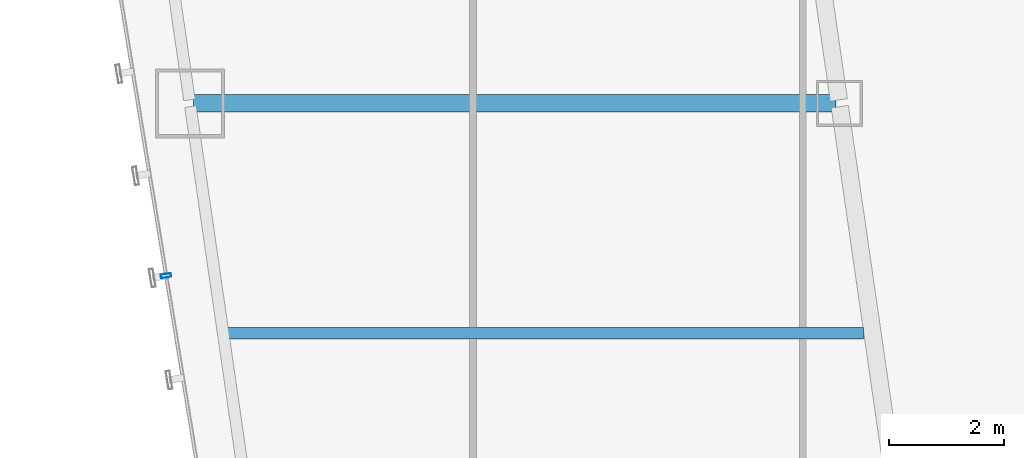
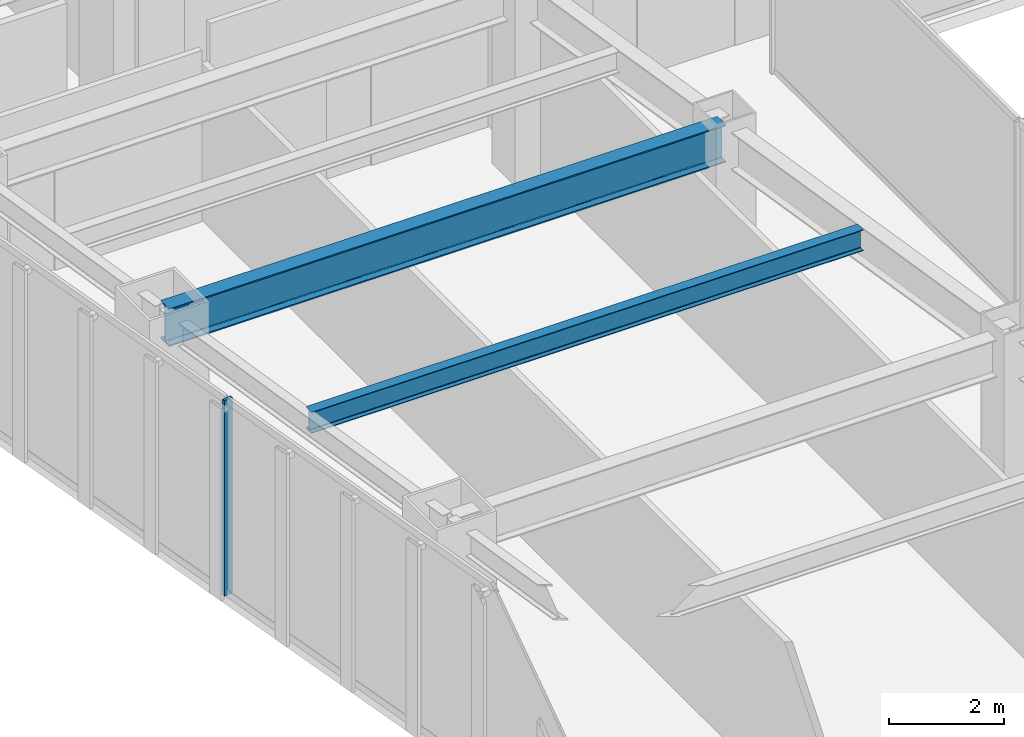
# One storey, part 11 of 47: 2 beams, 1 member, 1 element without a shape of its own.
"""IFC4 building model written with IfcOpenShell, lengths in metres."""

from ifc_helpers import new_model, si_unit, direction, frame, origin, origin_2d, place, context, subcontext, project, spatial, hollow_rectangle, i_section, extrude, material, material_profile, profile_set, type_object, element, aggregate, save


model = new_model("IFC4")

# Units and contexts
model_context = context("Model", 3, precision=1e-05, world=origin(), true_north=direction((0.0, 1.0)))
body_context = subcontext(model_context, "Body", "Model", "MODEL_VIEW")
ifc_project = project(units=[si_unit("LENGTHUNIT", "METRE"), si_unit("AREAUNIT", "SQUARE_METRE"), si_unit("VOLUMEUNIT", "CUBIC_METRE"), si_unit("PLANEANGLEUNIT", "RADIAN"), si_unit("MASSUNIT", "GRAM", prefix="KILO")], contexts=[model_context])

# Site, building, storey
site_placement = place(None, origin())
site = spatial("IfcSite", under=ifc_project, at=site_placement, CompositionType="ELEMENT")
building_placement = place(site_placement, origin())
building = spatial("IfcBuilding", under=site, at=building_placement, Name="Saevonmaru Cultural Tower", CompositionType="ELEMENT")
storey_placement = place(building_placement, frame((0.0, 0.0, 69.199951171875)))
storey = spatial("IfcBuildingStorey", under=building, at=storey_placement, Name="L14", CompositionType="ELEMENT", Elevation=69.199951171875)

# Beams
ifc_material_1 = material(Name="Steel SM420", Category="steel")
ifc_material_profile_1 = material_profile(ifc_material_1, i_section(OverallWidth=0.300048828125, OverallDepth=0.800048828125, WebThickness=0.013916015625, FlangeThickness=0.02587890625, FilletRadius=0.028076171875, at=origin_2d()), Name="H-800x300x14x26")
ifc_profile_set_1 = profile_set([ifc_material_profile_1], Name="Steel SM420")
beam_type_1 = type_object("IfcBeamType", Name="BM-G-H800", PredefinedType="BEAM", material=ifc_profile_set_1)
beam_1_placement = place(storey_placement, frame((8.376953125, 32.0, 3.75), z_axis=(1.0, 0.0, 0.0), x_axis=(0.0, 1.0, 0.0)))
element("IfcBeam", 1, at=beam_1_placement, inside=storey, type_object=beam_type_1, Name="L14 West Wing Transverse Girder 5", PredefinedType="BEAM", context=body_context, shape_type="SweptSolid", body=[
    extrude(i_section(OverallWidth=0.300048828125, OverallDepth=0.800048828125, WebThickness=0.013916015625, FlangeThickness=0.02587890625, FilletRadius=0.028076171875, at=origin_2d()), origin(), (0.0, 0.0, 1.0), 11.179931640625),
])
ifc_material_2 = material(Name="Steel SM355", Category="steel")
ifc_material_profile_2 = material_profile(ifc_material_2, i_section(OverallWidth=0.199951171875, OverallDepth=0.449951171875, WebThickness=0.009033203125, FlangeThickness=0.013916015625, FilletRadius=0.01806640625, at=origin_2d()), Name="H-450x200x9x14")
ifc_profile_set_2 = profile_set([ifc_material_profile_2], Name="Steel SM355")
beam_type_2 = type_object("IfcBeamType", Name="BM-J-H450", PredefinedType="JOIST", material=ifc_profile_set_2)
beam_2_placement = place(storey_placement, frame((8.95458984375, 28.0, 3.925048828125), z_axis=(1.0, 0.0, 0.0), x_axis=(0.0, 1.0, 0.0)))
element("IfcBeam", 2, at=beam_2_placement, inside=storey, type_object=beam_type_2, Name="L14 West Wing Floor Joist 4", PredefinedType="JOIST", context=body_context, shape_type="SweptSolid", body=[
    extrude(i_section(OverallWidth=0.199951171875, OverallDepth=0.449951171875, WebThickness=0.009033203125, FlangeThickness=0.013916015625, FilletRadius=0.01806640625, at=origin_2d()), origin(), (0.0, 0.0, 1.0), 11.08203125),
])

# Curtain wall, member
ifc_material_3 = material(Name="Satin Bronze Anodised Aluminium", Category="aluminium")
curtain_wall_type = type_object("IfcCurtainWallType", Name="CW-TYP-A", PredefinedType="NOTDEFINED", material=ifc_material_3)
curtain_wall_placement = place(storey_placement, origin())
curtain_wall = element("IfcCurtainWall", 3, at=curtain_wall_placement, inside=storey, type_object=curtain_wall_type, Name="L14 Unitised Curtain Wall E12", PredefinedType="NOTDEFINED")
ifc_material_profile_3 = material_profile(ifc_material_3, hollow_rectangle(XDim=0.06494140625, YDim=0.179931640625, WallThickness=0.00390625, at=origin_2d()), Name="ALU-MULL-180x65x4")
ifc_profile_set_3 = profile_set([ifc_material_profile_3], Name="Satin Bronze Anodised Aluminium")
member_type = type_object("IfcMemberType", Name="ML-CW-180x65", PredefinedType="MULLION", material=ifc_profile_set_3)
member_placement = place(storey_placement, frame((7.89990234375, 29.0, 0.0), z_axis=(0.0, 0.0, 1.0), x_axis=(0.161708868641, -0.986838508472, 0.0)))
member = element("IfcMember", 4, at=member_placement, type_object=member_type, Name="CW-TW-L14-E12 mullion 3", PredefinedType="MULLION", context=body_context, shape_type="SweptSolid", body=[
    extrude(hollow_rectangle(XDim=0.06494140625, YDim=0.179931640625, WallThickness=0.00390625, at=origin_2d()), origin(), (0.0, 0.0, 1.0), 4.150146484375),
])
aggregate(curtain_wall, [member])

save(model, "model.ifc")
